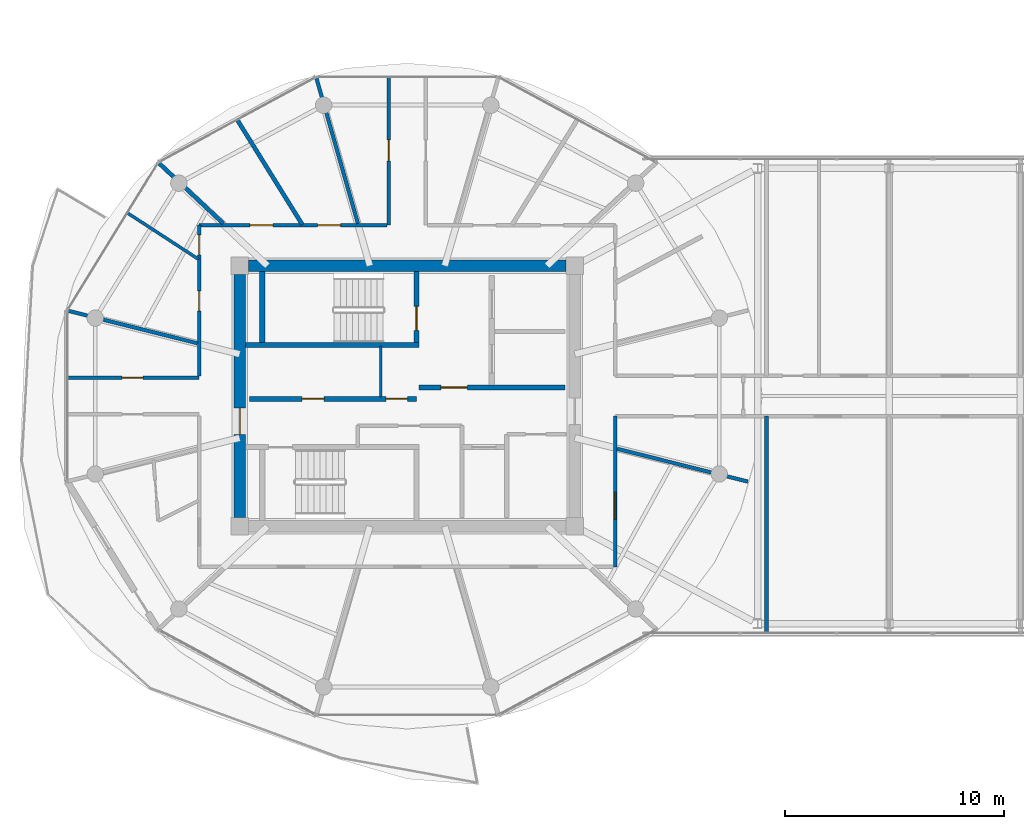
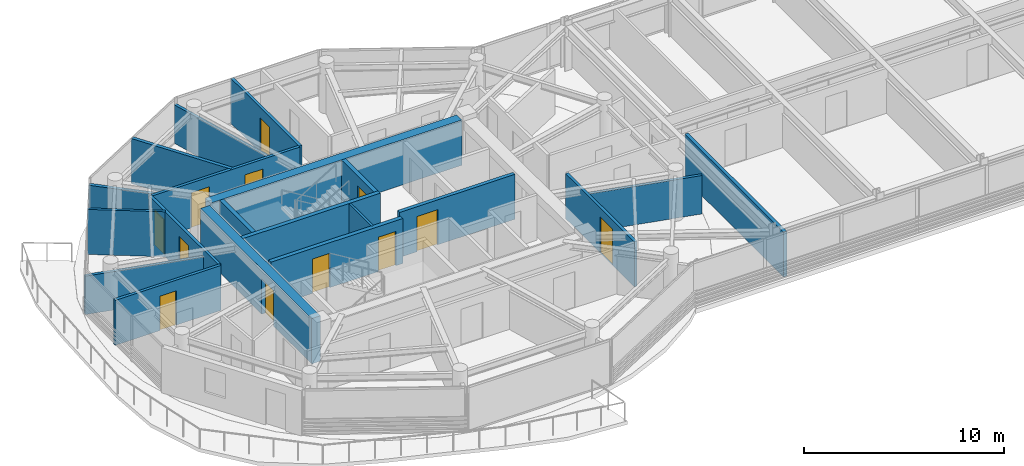
# One storey, part 14 of 23: 20 walls, 12 doors, 12 openings.
"""IFC4 building model written with IfcOpenShell, lengths in metres."""

from ifc_helpers import new_model, si_unit, direction, frame, frame_2d, origin, place, context, subcontext, project, spatial, rectangle, extrude, source, transform, mapped, material, layer, layer_set, type_object, type_shapes, element, fill, save


model = new_model("IFC4")

# Units and contexts
model_context = context("Model", 3, precision=1e-05, world=origin(), true_north=direction((0.0, 1.0)))
body_context = subcontext(model_context, "Body", "Model", "MODEL_VIEW")
ifc_project = project(units=[si_unit("LENGTHUNIT", "METRE"), si_unit("AREAUNIT", "SQUARE_METRE"), si_unit("VOLUMEUNIT", "CUBIC_METRE"), si_unit("PLANEANGLEUNIT", "RADIAN"), si_unit("MASSUNIT", "GRAM", prefix="KILO")], contexts=[model_context])

# Site, building, storey
site_placement = place(None, origin())
site = spatial("IfcSite", under=ifc_project, at=site_placement, CompositionType="ELEMENT")
building_placement = place(site_placement, origin())
building = spatial("IfcBuilding", under=site, at=building_placement, Name="Norrkilde Senior Care Towers", CompositionType="ELEMENT")
storey_placement = place(building_placement, frame((0.0, 0.0, 216.949951171875)))
storey = spatial("IfcBuildingStorey", under=building, at=storey_placement, Name="L67", CompositionType="ELEMENT", Elevation=216.949951171875)

# Wall
ifc_material_1 = material(Name="Concrete C50/60", Category="concrete")
ifc_layer_1 = layer(ifc_material_1, 0.52001953125)
ifc_layer_set_1 = layer_set([ifc_layer_1], Name="Concrete C50/60")
wall_type_1 = type_object("IfcWallType", Name="Core Shear Wall Z4 520", PredefinedType="SHEAR", material=ifc_layer_set_1)
shared_shape_1 = source(origin(), body_context, "Body", "SweptSolid", [
    extrude(rectangle(XDim=14.5, YDim=0.52001953125, at=frame_2d((7.25, 0.0))), origin(), (0.0, 0.0, 1.0), 2.760009765625),
])
wall_1_placement = place(storey_placement, frame((-35.25, 5.949951171875, 0.0), z_axis=(0.0, 0.0, 1.0), x_axis=(1.0, 0.0, 0.0)))
element("IfcWall", 1, at=wall_1_placement, inside=storey, type_object=wall_type_1, Name="L67 Core W North Shear Wall", PredefinedType="SHEAR", context=body_context, shape_type="MappedRepresentation", body=[
    mapped(shared_shape_1, transform((0.0, 0.0, 0.0), x_axis=(1.0, 0.0, 0.0), y_axis=(0.0, 1.0, 0.0), z_axis=(0.0, 0.0, 1.0), scale=1.0)),
])

# Wall, opening, door
shared_shape_2 = source(origin(), body_context, "Body", "SweptSolid", [
    extrude(rectangle(XDim=11.10009765625, YDim=0.52001953125, at=frame_2d((5.550048828125, 0.0))), origin(), (0.0, 0.0, 1.0), 2.760009765625),
])
type_shapes(wall_type_1, [shared_shape_1, shared_shape_2])
wall_2_placement = place(storey_placement, frame((-35.64990234375, -5.550048828125, 0.0), z_axis=(0.0, 0.0, 1.0), x_axis=(0.0, 1.0, 0.0)))
wall_2 = element("IfcWall", 2, at=wall_2_placement, inside=storey, type_object=wall_type_1, Name="L67 Core W West Shear Wall", PredefinedType="SHEAR", context=body_context, shape_type="MappedRepresentation", body=[
    mapped(shared_shape_2, transform((0.0, 0.0, 0.0), x_axis=(1.0, 0.0, 0.0), y_axis=(0.0, 1.0, 0.0), z_axis=(0.0, 0.0, 1.0), scale=1.0)),
])
opening_1_placement = place(wall_2_placement, frame((3.800048828125, 0.0, 0.0)))
opening_1 = element("IfcOpeningElement", 3, at=opening_1_placement, cuts=wall_2, Name="Opening D-04", PredefinedType="OPENING", context=body_context, shape_type="SweptSolid", body=[
    extrude(rectangle(XDim=1.199951171875, YDim=2.14990234375, at=frame_2d((0.60009765625, 1.074951171875))), frame((0.0, 0.27001953125, 0.0), z_axis=(0.0, -1.0, 0.0), x_axis=(1.0, 0.0, 0.0)), (0.0, 0.0, 1.0), 0.5400390625),
])
ifc_material_2 = material(Name="Galvanised Painted Steel", Category="steel")
door_type_1 = type_object("IfcDoorType", Name="Firefighting Lobby Fire Door 1200x2150", OperationType="NOTDEFINED", PredefinedType="DOOR", material=ifc_material_2)
shared_shape_3 = source(origin(), body_context, "Body", "SweptSolid", [
    extrude(rectangle(XDim=1.199951171875, YDim=2.14990234375, at=frame_2d((0.60009765625, 1.074951171875))), frame((0.0, 0.02490234375, 0.0), z_axis=(0.0, -1.0, 0.0), x_axis=(1.0, 0.0, 0.0)), (0.0, 0.0, 1.0), 0.050048828125),
])
type_shapes(door_type_1, [shared_shape_3])
door_1_placement = place(opening_1_placement, frame((1.199951171875, 0.0, 0.0), z_axis=(0.0, 0.0, 1.0), x_axis=(-1.0, 0.0, 0.0)))
door_1 = element("IfcDoor", 4, at=door_1_placement, inside=storey, type_object=door_type_1, Name="L67 Core W West Portal Door", OperationType="SINGLE_SWING_LEFT", OverallHeight=2.14990234375, OverallWidth=1.199951171875, PredefinedType="DOOR", context=body_context, shape_type="MappedRepresentation", body=[
    mapped(shared_shape_3, transform((0.0, 0.0, 0.0), x_axis=(1.0, 0.0, 0.0), y_axis=(0.0, 1.0, 0.0), z_axis=(0.0, 0.0, 1.0), scale=1.0)),
])
fill(opening_1, door_1)

# Walls
ifc_material_3 = material(Name="Concrete C45/55", Category="concrete")
ifc_layer_2 = layer(ifc_material_3, 0.239990234375)
ifc_layer_set_2 = layer_set([ifc_layer_2], Name="Concrete C45/55")
wall_type_2 = type_object("IfcWallType", Name="Shaft and Stair Enclosure Wall 240", PredefinedType="PARTITIONING", material=ifc_layer_set_2)
shared_shape_4 = source(origin(), body_context, "Body", "SweptSolid", [
    extrude(rectangle(XDim=7.929931640625, YDim=0.239990234375, at=frame_2d((3.96484375, 0.0))), origin(), (0.0, 0.0, 1.0), 2.760009765625),
])
wall_3_placement = place(storey_placement, frame((-35.389892578125, 2.330078125, 0.0), z_axis=(0.0, 0.0, 1.0), x_axis=(1.0, 0.0, 0.0)))
element("IfcWall", 5, at=wall_3_placement, inside=storey, type_object=wall_type_2, Name="WL-INT-L67-W-ST1S", PredefinedType="PARTITIONING", context=body_context, shape_type="MappedRepresentation", body=[
    mapped(shared_shape_4, transform((0.0, 0.0, 0.0), x_axis=(1.0, 0.0, 0.0), y_axis=(0.0, 1.0, 0.0), z_axis=(0.0, 0.0, 1.0), scale=1.0)),
])
shared_shape_5 = source(origin(), body_context, "Body", "SweptSolid", [
    extrude(rectangle(XDim=3.239990234375, YDim=0.239990234375, at=frame_2d((1.6201171875, 0.0))), origin(), (0.0, 0.0, 1.0), 2.760009765625),
])
type_shapes(wall_type_2, [shared_shape_4, shared_shape_5])
wall_4_placement = place(storey_placement, frame((-34.6201171875, 2.449951171875, 0.0), z_axis=(0.0, 0.0, 1.0), x_axis=(0.0, 1.0, 0.0)))
element("IfcWall", 6, at=wall_4_placement, inside=storey, type_object=wall_type_2, Name="WL-INT-L67-W-ST1W", PredefinedType="PARTITIONING", context=body_context, shape_type="MappedRepresentation", body=[
    mapped(shared_shape_5, transform((0.0, 0.0, 0.0), x_axis=(1.0, 0.0, 0.0), y_axis=(0.0, 1.0, 0.0), z_axis=(0.0, 0.0, 1.0), scale=1.0)),
])

# Wall, opening, door
wall_5_placement = place(storey_placement, frame((-27.580078125, 2.449951171875, 0.0), z_axis=(0.0, 0.0, 1.0), x_axis=(0.0, 1.0, 0.0)))
wall_5 = element("IfcWall", 7, at=wall_5_placement, inside=storey, type_object=wall_type_2, Name="WL-INT-L67-W-ST1E", PredefinedType="PARTITIONING", context=body_context, shape_type="MappedRepresentation", body=[
    mapped(shared_shape_5, transform((0.0, 0.0, 0.0), x_axis=(1.0, 0.0, 0.0), y_axis=(0.0, 1.0, 0.0), z_axis=(0.0, 0.0, 1.0), scale=1.0)),
])
opening_2_placement = place(wall_5_placement, frame((0.550048828125, 0.0, 0.0)))
opening_2 = element("IfcOpeningElement", 8, at=opening_2_placement, cuts=wall_5, Name="Opening D-03", PredefinedType="OPENING", context=body_context, shape_type="SweptSolid", body=[
    extrude(rectangle(XDim=1.10009765625, YDim=2.14990234375, at=frame_2d((0.550048828125, 1.074951171875))), frame((0.0, 0.1298828125, 0.0), z_axis=(0.0, -1.0, 0.0), x_axis=(1.0, 0.0, 0.0)), (0.0, 0.0, 1.0), 0.260009765625),
])
door_type_2 = type_object("IfcDoorType", Name="Stairwell Protected Fire Door 1100x2150", OperationType="NOTDEFINED", PredefinedType="DOOR", material=ifc_material_2)
shared_shape_6 = source(origin(), body_context, "Body", "SweptSolid", [
    extrude(rectangle(XDim=1.10009765625, YDim=2.14990234375, at=frame_2d((0.550048828125, 1.074951171875))), frame((0.0, 0.02490234375, 0.0), z_axis=(0.0, -1.0, 0.0), x_axis=(1.0, 0.0, 0.0)), (0.0, 0.0, 1.0), 0.050048828125),
])
type_shapes(door_type_2, [shared_shape_6])
door_2_placement = place(opening_2_placement, origin())
door_2 = element("IfcDoor", 9, at=door_2_placement, inside=storey, type_object=door_type_2, Name="L67 Stair W1 Fire Door", OperationType="SINGLE_SWING_LEFT", OverallHeight=2.14990234375, OverallWidth=1.10009765625, PredefinedType="DOOR", context=body_context, shape_type="MappedRepresentation", body=[
    mapped(shared_shape_6, transform((0.0, 0.0, 0.0), x_axis=(1.0, 0.0, 0.0), y_axis=(0.0, 1.0, 0.0), z_axis=(0.0, 0.0, 1.0), scale=1.0)),
])
fill(opening_2, door_2)

ifc_layer_3 = layer(ifc_material_3, 0.2099609375)
ifc_layer_set_3 = layer_set([ifc_layer_3], Name="Concrete C45/55")
wall_type_3 = type_object("IfcWallType", Name="Firefighting Lobby Wall 210", PredefinedType="PARTITIONING", material=ifc_layer_set_3)
shared_shape_7 = source(origin(), body_context, "Body", "SweptSolid", [
    extrude(rectangle(XDim=6.659912109375, YDim=0.2099609375, at=frame_2d((3.330078125, 0.0))), origin(), (0.0, 0.0, 1.0), 2.7451171875),
])
type_shapes(wall_type_3, [shared_shape_7])
wall_6_placement = place(storey_placement, frame((-27.4599609375, 0.389892578125, 0.0), z_axis=(0.0, 0.0, 1.0), x_axis=(1.0, 0.0, 0.0)))
wall_6 = element("IfcWall", 10, at=wall_6_placement, inside=storey, type_object=wall_type_3, Name="WL-INT-L67-W-FFLS", PredefinedType="PARTITIONING", context=body_context, shape_type="MappedRepresentation", body=[
    mapped(shared_shape_7, transform((0.0, 0.0, 0.0), x_axis=(1.0, 0.0, 0.0), y_axis=(0.0, 1.0, 0.0), z_axis=(0.0, 0.0, 1.0), scale=1.0)),
])
opening_3_placement = place(wall_6_placement, frame((1.0, 0.0, 0.0)))
opening_3 = element("IfcOpeningElement", 11, at=opening_3_placement, cuts=wall_6, Name="Opening D-04", PredefinedType="OPENING", context=body_context, shape_type="SweptSolid", body=[
    extrude(rectangle(XDim=1.199951171875, YDim=2.14990234375, at=frame_2d((0.60009765625, 1.074951171875))), frame((0.0, 0.114990234375, 0.0), z_axis=(0.0, -1.0, 0.0), x_axis=(1.0, 0.0, 0.0)), (0.0, 0.0, 1.0), 0.22998046875),
])
door_3_placement = place(opening_3_placement, frame((1.199951171875, 0.0, 0.0), z_axis=(0.0, 0.0, 1.0), x_axis=(-1.0, 0.0, 0.0)))
door_3 = element("IfcDoor", 12, at=door_3_placement, inside=storey, type_object=door_type_1, Name="L67 Firefighting Lobby W Door", OperationType="SINGLE_SWING_LEFT", OverallHeight=2.14990234375, OverallWidth=1.199951171875, PredefinedType="DOOR", context=body_context, shape_type="MappedRepresentation", body=[
    mapped(shared_shape_3, transform((0.0, 0.0, 0.0), x_axis=(1.0, 0.0, 0.0), y_axis=(0.0, 1.0, 0.0), z_axis=(0.0, 0.0, 1.0), scale=1.0)),
])
fill(opening_3, door_3)

# Wall, openings, doors
ifc_layer_4 = layer(ifc_material_3, 0.239990234375)
ifc_layer_set_4 = layer_set([ifc_layer_4], Name="Concrete C45/55")
wall_type_4 = type_object("IfcWallType", Name="Lift and Plant Rated Enclosure Partition 240", PredefinedType="PARTITIONING", material=ifc_layer_set_4)
shared_shape_8 = source(origin(), body_context, "Body", "SweptSolid", [
    extrude(rectangle(XDim=7.619873046875, YDim=0.239990234375, at=frame_2d((3.81005859375, 0.0))), origin(), (0.0, 0.0, 1.0), 2.7451171875),
])
type_shapes(wall_type_4, [shared_shape_8])
wall_7_placement = place(storey_placement, frame((-35.199951171875, -0.1298828125, 0.0), z_axis=(0.0, 0.0, 1.0), x_axis=(1.0, 0.0, 0.0)))
wall_7 = element("IfcWall", 13, at=wall_7_placement, inside=storey, type_object=wall_type_4, Name="WL-INT-L67-W-PKAS", PredefinedType="PARTITIONING", context=body_context, shape_type="MappedRepresentation", body=[
    mapped(shared_shape_8, transform((0.0, 0.0, 0.0), x_axis=(1.0, 0.0, 0.0), y_axis=(0.0, 1.0, 0.0), z_axis=(0.0, 0.0, 1.0), scale=1.0)),
])
opening_4_placement = place(wall_7_placement, frame((6.219970703125, 0.0, 0.0)))
opening_4 = element("IfcOpeningElement", 14, at=opening_4_placement, cuts=wall_7, Name="Opening D-10", PredefinedType="OPENING", context=body_context, shape_type="SweptSolid", body=[
    extrude(rectangle(XDim=1.0, YDim=2.10009765625, at=frame_2d((0.5, 1.050048828125))), frame((0.0, 0.1298828125, 0.0), z_axis=(0.0, -1.0, 0.0), x_axis=(1.0, 0.0, 0.0)), (0.0, 0.0, 1.0), 0.260009765625),
])
opening_5_placement = place(wall_7_placement, frame((2.39990234375, 0.0, 0.0)))
opening_5 = element("IfcOpeningElement", 15, at=opening_5_placement, cuts=wall_7, Name="Opening D-10", PredefinedType="OPENING", context=body_context, shape_type="SweptSolid", body=[
    extrude(rectangle(XDim=1.0, YDim=2.10009765625, at=frame_2d((0.5, 1.050048828125))), frame((0.0, 0.1298828125, 0.0), z_axis=(0.0, -1.0, 0.0), x_axis=(1.0, 0.0, 0.0)), (0.0, 0.0, 1.0), 0.260009765625),
])
door_type_3 = type_object("IfcDoorType", Name="Plant and Riser Rated Door 1000x2100", OperationType="NOTDEFINED", PredefinedType="DOOR", material=ifc_material_2)
shared_shape_9 = source(origin(), body_context, "Body", "SweptSolid", [
    extrude(rectangle(XDim=1.0, YDim=2.10009765625, at=frame_2d((0.5, 1.050048828125))), frame((0.0, 0.02490234375, 0.0), z_axis=(0.0, -1.0, 0.0), x_axis=(1.0, 0.0, 0.0)), (0.0, 0.0, 1.0), 0.050048828125),
])
type_shapes(door_type_3, [shared_shape_9])
door_4_placement = place(opening_4_placement, frame((1.0, 0.0, 0.0), z_axis=(0.0, 0.0, 1.0), x_axis=(-1.0, 0.0, 0.0)))
door_4 = element("IfcDoor", 16, at=door_4_placement, inside=storey, type_object=door_type_3, Name="L67 Electrical Riser W Door", OperationType="SINGLE_SWING_LEFT", OverallHeight=2.10009765625, OverallWidth=1.0, PredefinedType="DOOR", context=body_context, shape_type="MappedRepresentation", body=[
    mapped(shared_shape_9, transform((0.0, 0.0, 0.0), x_axis=(1.0, 0.0, 0.0), y_axis=(0.0, 1.0, 0.0), z_axis=(0.0, 0.0, 1.0), scale=1.0)),
])
fill(opening_4, door_4)
door_5_placement = place(opening_5_placement, frame((1.0, 0.0, 0.0), z_axis=(0.0, 0.0, 1.0), x_axis=(-1.0, 0.0, 0.0)))
door_5 = element("IfcDoor", 17, at=door_5_placement, inside=storey, type_object=door_type_3, Name="L67 Clean Supply Store W Door", OperationType="SINGLE_SWING_LEFT", OverallHeight=2.10009765625, OverallWidth=1.0, PredefinedType="DOOR", context=body_context, shape_type="MappedRepresentation", body=[
    mapped(shared_shape_9, transform((0.0, 0.0, 0.0), x_axis=(1.0, 0.0, 0.0), y_axis=(0.0, 1.0, 0.0), z_axis=(0.0, 0.0, 1.0), scale=1.0)),
])
fill(opening_5, door_5)

# Wall
ifc_material_4 = material(Name="Gypsum Acoustic Board")
ifc_layer_5 = layer(ifc_material_4, 0.114990234375)
ifc_layer_set_5 = layer_set([ifc_layer_5], Name="Gypsum Acoustic Board")
wall_type_5 = type_object("IfcWallType", Name="Internal Room Partition 115", PredefinedType="PARTITIONING", material=ifc_layer_set_5)
shared_shape_10 = source(origin(), body_context, "Body", "SweptSolid", [
    extrude(rectangle(XDim=2.330078125, YDim=0.114990234375, at=frame_2d((1.1650390625, 0.0))), origin(), (0.0, 0.0, 1.0), 2.7451171875),
])
type_shapes(wall_type_5, [shared_shape_10])
wall_8_placement = place(storey_placement, frame((-29.2099609375, -0.050048828125, 0.0), z_axis=(0.0, 0.0, 1.0), x_axis=(0.0, 1.0, 0.0)))
element("IfcWall", 18, at=wall_8_placement, inside=storey, type_object=wall_type_5, Name="WL-INT-L67-W-RISW", PredefinedType="PARTITIONING", context=body_context, shape_type="MappedRepresentation", body=[
    mapped(shared_shape_10, transform((0.0, 0.0, 0.0), x_axis=(1.0, 0.0, 0.0), y_axis=(0.0, 1.0, 0.0), z_axis=(0.0, 0.0, 1.0), scale=1.0)),
])

# Wall, openings, doors
ifc_layer_6 = layer(ifc_material_4, 0.1650390625)
ifc_layer_set_6 = layer_set([ifc_layer_6], Name="Gypsum Acoustic Board")
wall_type_6 = type_object("IfcWallType", Name="Corridor Rated Partition 165", PredefinedType="PARTITIONING", material=ifc_layer_set_6)
shared_shape_11 = source(origin(), body_context, "Body", "SweptSolid", [
    extrude(rectangle(XDim=8.580078125, YDim=0.1650390625, at=frame_2d((4.2900390625, 0.0))), origin(), (0.0, 0.0, 1.0), 2.7451171875),
])
wall_9_placement = place(storey_placement, frame((-37.5, 7.800048828125, 0.0), z_axis=(0.0, 0.0, 1.0), x_axis=(1.0, 0.0, 0.0)))
wall_9 = element("IfcWall", 19, at=wall_9_placement, inside=storey, type_object=wall_type_6, Name="WL-INT-L67-W-CRW-N-0", PredefinedType="PARTITIONING", context=body_context, shape_type="MappedRepresentation", body=[
    mapped(shared_shape_11, transform((0.0, 0.0, 0.0), x_axis=(1.0, 0.0, 0.0), y_axis=(0.0, 1.0, 0.0), z_axis=(0.0, 0.0, 1.0), scale=1.0)),
])
opening_6_placement = place(wall_9_placement, frame((5.40771484375, 0.0, 0.0)))
opening_6 = element("IfcOpeningElement", 20, at=opening_6_placement, cuts=wall_9, Name="Opening D-06", PredefinedType="OPENING", context=body_context, shape_type="SweptSolid", body=[
    extrude(rectangle(XDim=1.050048828125, YDim=2.14990234375, at=frame_2d((0.52490234375, 1.074951171875))), frame((0.0, 0.092529296875, 0.0), z_axis=(0.0, -1.0, 0.0), x_axis=(1.0, 0.0, 0.0)), (0.0, 0.0, 1.0), 0.18505859375),
])
opening_7_placement = place(wall_9_placement, frame((2.316650390625, 0.0, 0.0)))
opening_7 = element("IfcOpeningElement", 21, at=opening_7_placement, cuts=wall_9, Name="Opening D-06", PredefinedType="OPENING", context=body_context, shape_type="SweptSolid", body=[
    extrude(rectangle(XDim=1.050048828125, YDim=2.14990234375, at=frame_2d((0.52490234375, 1.074951171875))), frame((0.0, 0.092529296875, 0.0), z_axis=(0.0, -1.0, 0.0), x_axis=(1.0, 0.0, 0.0)), (0.0, 0.0, 1.0), 0.18505859375),
])
ifc_material_5 = material(Name="Nordic Ash Timber", Category="wood")
door_type_4 = type_object("IfcDoorType", Name="Apartment Entrance Fire Door 1050x2150", OperationType="NOTDEFINED", PredefinedType="DOOR", material=ifc_material_5)
shared_shape_12 = source(origin(), body_context, "Body", "SweptSolid", [
    extrude(rectangle(XDim=1.050048828125, YDim=2.14990234375, at=frame_2d((0.52490234375, 1.074951171875))), frame((0.0, 0.02490234375, 0.0), z_axis=(0.0, -1.0, 0.0), x_axis=(1.0, 0.0, 0.0)), (0.0, 0.0, 1.0), 0.050048828125),
])
type_shapes(door_type_4, [shared_shape_12])
door_6_placement = place(opening_6_placement, frame((1.050048828125, 0.0, 0.0), z_axis=(0.0, 0.0, 1.0), x_axis=(-1.0, 0.0, 0.0)))
door_6 = element("IfcDoor", 22, at=door_6_placement, inside=storey, type_object=door_type_4, Name="L67 Physiotherapy Clinic 3A Door", OperationType="SINGLE_SWING_RIGHT", OverallHeight=2.14990234375, OverallWidth=1.050048828125, PredefinedType="DOOR", context=body_context, shape_type="MappedRepresentation", body=[
    mapped(shared_shape_12, transform((0.0, 0.0, 0.0), x_axis=(1.0, 0.0, 0.0), y_axis=(0.0, 1.0, 0.0), z_axis=(0.0, 0.0, 1.0), scale=1.0)),
])
fill(opening_6, door_6)
door_7_placement = place(opening_7_placement, frame((1.050048828125, 0.0, 0.0), z_axis=(0.0, 0.0, 1.0), x_axis=(-1.0, 0.0, 0.0)))
door_7 = element("IfcDoor", 23, at=door_7_placement, inside=storey, type_object=door_type_4, Name="L67 Assessment Clinic 3B Door", OperationType="SINGLE_SWING_LEFT", OverallHeight=2.14990234375, OverallWidth=1.050048828125, PredefinedType="DOOR", context=body_context, shape_type="MappedRepresentation", body=[
    mapped(shared_shape_12, transform((0.0, 0.0, 0.0), x_axis=(1.0, 0.0, 0.0), y_axis=(0.0, 1.0, 0.0), z_axis=(0.0, 0.0, 1.0), scale=1.0)),
])
fill(opening_7, door_7)

shared_shape_13 = source(origin(), body_context, "Body", "SweptSolid", [
    extrude(rectangle(XDim=6.880126953125, YDim=0.1650390625, at=frame_2d((3.43994140625, 0.0))), origin(), (0.0, 0.0, 1.0), 2.7451171875),
])
wall_10_placement = place(storey_placement, frame((-37.5, 0.919921875, 0.0), z_axis=(0.0, 0.0, 1.0), x_axis=(0.0, 1.0, 0.0)))
wall_10 = element("IfcWall", 24, at=wall_10_placement, inside=storey, type_object=wall_type_6, Name="WL-INT-L67-W-CRW-W-1", PredefinedType="PARTITIONING", context=body_context, shape_type="MappedRepresentation", body=[
    mapped(shared_shape_13, transform((0.0, 0.0, 0.0), x_axis=(1.0, 0.0, 0.0), y_axis=(0.0, 1.0, 0.0), z_axis=(0.0, 0.0, 1.0), scale=1.0)),
])
opening_8_placement = place(wall_10_placement, frame((5.525146484375, 0.0, 0.0)))
opening_8 = element("IfcOpeningElement", 25, at=opening_8_placement, cuts=wall_10, Name="Opening D-08", PredefinedType="OPENING", context=body_context, shape_type="SweptSolid", body=[
    extrude(rectangle(XDim=0.919921875, YDim=2.10009765625, at=frame_2d((0.4599609375, 1.050048828125))), frame((0.0, 0.092529296875, 0.0), z_axis=(0.0, -1.0, 0.0), x_axis=(1.0, 0.0, 0.0)), (0.0, 0.0, 1.0), 0.18505859375),
])
opening_9_placement = place(wall_10_placement, frame((2.96240234375, 0.0, 0.0)))
opening_9 = element("IfcOpeningElement", 26, at=opening_9_placement, cuts=wall_10, Name="Opening D-08", PredefinedType="OPENING", context=body_context, shape_type="SweptSolid", body=[
    extrude(rectangle(XDim=0.919921875, YDim=2.10009765625, at=frame_2d((0.4599609375, 1.050048828125))), frame((0.0, 0.092529296875, 0.0), z_axis=(0.0, -1.0, 0.0), x_axis=(1.0, 0.0, 0.0)), (0.0, 0.0, 1.0), 0.18505859375),
])
door_type_5 = type_object("IfcDoorType", Name="Accessible Wet Room Door 920x2100", OperationType="NOTDEFINED", PredefinedType="DOOR", material=ifc_material_5)
shared_shape_14 = source(origin(), body_context, "Body", "SweptSolid", [
    extrude(rectangle(XDim=0.919921875, YDim=2.10009765625, at=frame_2d((0.4599609375, 1.050048828125))), frame((0.0, 0.02490234375, 0.0), z_axis=(0.0, -1.0, 0.0), x_axis=(1.0, 0.0, 0.0)), (0.0, 0.0, 1.0), 0.050048828125),
])
type_shapes(door_type_5, [shared_shape_14])
door_8_placement = place(opening_8_placement, frame((0.919921875, 0.0, 0.0), z_axis=(0.0, 0.0, 1.0), x_axis=(-1.0, 0.0, 0.0)))
door_8 = element("IfcDoor", 27, at=door_8_placement, inside=storey, type_object=door_type_5, Name="L67 Accessible Restroom Door", OperationType="SINGLE_SWING_LEFT", OverallHeight=2.10009765625, OverallWidth=0.919921875, PredefinedType="DOOR", context=body_context, shape_type="MappedRepresentation", body=[
    mapped(shared_shape_14, transform((0.0, 0.0, 0.0), x_axis=(1.0, 0.0, 0.0), y_axis=(0.0, 1.0, 0.0), z_axis=(0.0, 0.0, 1.0), scale=1.0)),
])
fill(opening_8, door_8)
door_9_placement = place(opening_9_placement, frame((0.919921875, 0.0, 0.0), z_axis=(0.0, 0.0, 1.0), x_axis=(-1.0, 0.0, 0.0)))
door_9 = element("IfcDoor", 28, at=door_9_placement, inside=storey, type_object=door_type_5, Name="L67 Public Restroom Door", OperationType="SINGLE_SWING_RIGHT", OverallHeight=2.10009765625, OverallWidth=0.919921875, PredefinedType="DOOR", context=body_context, shape_type="MappedRepresentation", body=[
    mapped(shared_shape_14, transform((0.0, 0.0, 0.0), x_axis=(1.0, 0.0, 0.0), y_axis=(0.0, 1.0, 0.0), z_axis=(0.0, 0.0, 1.0), scale=1.0)),
])
fill(opening_9, door_9)

# Wall, opening, door
wall_11_placement = place(storey_placement, frame((-18.5, -0.919921875, 0.0), z_axis=(0.0, 0.0, 1.0), x_axis=(0.0, -1.0, 0.0)))
wall_11 = element("IfcWall", 29, at=wall_11_placement, inside=storey, type_object=wall_type_6, Name="WL-INT-L67-W-CRW-E-1", PredefinedType="PARTITIONING", context=body_context, shape_type="MappedRepresentation", body=[
    mapped(shared_shape_13, transform((0.0, 0.0, 0.0), x_axis=(1.0, 0.0, 0.0), y_axis=(0.0, 1.0, 0.0), z_axis=(0.0, 0.0, 1.0), scale=1.0)),
])
opening_10_placement = place(wall_11_placement, frame((3.46435546875, 0.0, 0.0)))
opening_10 = element("IfcOpeningElement", 30, at=opening_10_placement, cuts=wall_11, Name="Opening D-05", PredefinedType="OPENING", context=body_context, shape_type="SweptSolid", body=[
    extrude(rectangle(XDim=1.25, YDim=2.199951171875, at=frame_2d((0.625, 1.10009765625))), frame((0.0, 0.092529296875, 0.0), z_axis=(0.0, -1.0, 0.0), x_axis=(1.0, 0.0, 0.0)), (0.0, 0.0, 1.0), 0.18505859375),
])
door_type_6 = type_object("IfcDoorType", Name="Care Bedroom Bariatric Door 1250x2200", OperationType="NOTDEFINED", PredefinedType="DOOR", material=ifc_material_5)
shared_shape_15 = source(origin(), body_context, "Body", "SweptSolid", [
    extrude(rectangle(XDim=1.25, YDim=2.199951171875, at=frame_2d((0.625, 1.10009765625))), frame((0.0, 0.02490234375, 0.0), z_axis=(0.0, -1.0, 0.0), x_axis=(1.0, 0.0, 0.0)), (0.0, 0.0, 1.0), 0.050048828125),
])
type_shapes(door_type_6, [shared_shape_15])
door_10_placement = place(opening_10_placement, frame((1.25, 0.0, 0.0), z_axis=(0.0, 0.0, 1.0), x_axis=(-1.0, 0.0, 0.0)))
door_10 = element("IfcDoor", 31, at=door_10_placement, inside=storey, type_object=door_type_6, Name="L67 Household Therapeutic Kitchen Door", OperationType="SINGLE_SWING_LEFT", OverallHeight=2.199951171875, OverallWidth=1.25, PredefinedType="DOOR", context=body_context, shape_type="MappedRepresentation", body=[
    mapped(shared_shape_15, transform((0.0, 0.0, 0.0), x_axis=(1.0, 0.0, 0.0), y_axis=(0.0, 1.0, 0.0), z_axis=(0.0, 0.0, 1.0), scale=1.0)),
])
fill(opening_10, door_10)

# Walls
shared_shape_16 = source(origin(), body_context, "Body", "SweptSolid", [
    extrude(rectangle(XDim=6.973876953125, YDim=0.1650390625, at=frame_2d((3.48681640625, 0.0))), origin(), (0.0, 0.0, 1.0), 2.344970703125),
])
wall_12_placement = place(storey_placement, frame((-30.251220703125, 7.8798828125, 0.0), z_axis=(0.0, 0.0, 1.0), x_axis=(-0.274707256801, 0.961527910703, 0.0)))
element("IfcWall", 32, at=wall_12_placement, inside=storey, type_object=wall_type_6, Name="WL-INT-L67-W-DEM-03-0", PredefinedType="PARTITIONING", context=body_context, shape_type="MappedRepresentation", body=[
    mapped(shared_shape_16, transform((0.0, 0.0, 0.0), x_axis=(1.0, 0.0, 0.0), y_axis=(0.0, 1.0, 0.0), z_axis=(0.0, 0.0, 1.0), scale=1.0)),
])
shared_shape_17 = source(origin(), body_context, "Body", "SweptSolid", [
    extrude(rectangle(XDim=6.1572265625, YDim=0.1650390625, at=frame_2d((3.07861328125, 0.0))), origin(), (0.0, 0.0, 1.0), 2.344970703125),
])
for number, where, z_axis, x_axis, name in (
    (33, (-37.580078125, 2.407470703125, 0.0), (0.0, 0.0, 1.0), (-0.969840867184, 0.243738984038, 0.0), "WL-INT-L67-W-DEM-05-0"),
    (34, (-18.419921875, -2.407470703125, 0.0), (0.0, 0.0, 1.0), (0.969840867184, -0.243738984038, 0.0), "WL-INT-L67-W-DEM-11-0"),
):
    element("IfcWall", number, at=place(storey_placement, frame(where, z_axis=z_axis, x_axis=x_axis)), inside=storey, type_object=wall_type_6, Name=name, PredefinedType="PARTITIONING", context=body_context, shape_type="MappedRepresentation", body=[
        mapped(shared_shape_17, transform((0.0, 0.0, 0.0), x_axis=(1.0, 0.0, 0.0), y_axis=(0.0, 1.0, 0.0), z_axis=(0.0, 0.0, 1.0), scale=1.0)),
    ])

# Wall, opening, door
shared_shape_18 = source(origin(), body_context, "Body", "SweptSolid", [
    extrude(rectangle(XDim=6.83544921875, YDim=0.1650390625, at=frame_2d((3.417724609375, 0.0))), origin(), (0.0, 0.0, 1.0), 2.7451171875),
])
wall_13_placement = place(storey_placement, frame((-28.840087890625, 7.800048828125, 0.0), z_axis=(0.0, 0.0, 1.0), x_axis=(0.0, 1.0, 0.0)))
wall_13 = element("IfcWall", 35, at=wall_13_placement, inside=storey, type_object=wall_type_6, Name="WL-INT-L67-W-SPK-N1-0", PredefinedType="PARTITIONING", context=body_context, shape_type="MappedRepresentation", body=[
    mapped(shared_shape_18, transform((0.0, 0.0, 0.0), x_axis=(1.0, 0.0, 0.0), y_axis=(0.0, 1.0, 0.0), z_axis=(0.0, 0.0, 1.0), scale=1.0)),
])
opening_11_placement = place(wall_13_placement, frame((2.942626953125, 0.0, 0.0)))
opening_11 = element("IfcOpeningElement", 36, at=opening_11_placement, cuts=wall_13, Name="Opening D-07", PredefinedType="OPENING", context=body_context, shape_type="SweptSolid", body=[
    extrude(rectangle(XDim=0.949951171875, YDim=2.10009765625, at=frame_2d((0.47509765625, 1.050048828125))), frame((0.0, 0.092529296875, 0.0), z_axis=(0.0, -1.0, 0.0), x_axis=(1.0, 0.0, 0.0)), (0.0, 0.0, 1.0), 0.18505859375),
])
door_type_7 = type_object("IfcDoorType", Name="Internal Suite Bedroom Door 950x2100", OperationType="NOTDEFINED", PredefinedType="DOOR", material=ifc_material_5)
shared_shape_19 = source(origin(), body_context, "Body", "SweptSolid", [
    extrude(rectangle(XDim=0.949951171875, YDim=2.10009765625, at=frame_2d((0.47509765625, 1.050048828125))), frame((0.0, 0.02490234375, 0.0), z_axis=(0.0, -1.0, 0.0), x_axis=(1.0, 0.0, 0.0)), (0.0, 0.0, 1.0), 0.050048828125),
])
type_shapes(door_type_7, [shared_shape_19])
door_11_placement = place(opening_11_placement, frame((0.949951171875, 0.0, 0.0), z_axis=(0.0, 0.0, 1.0), x_axis=(-1.0, 0.0, 0.0)))
door_11 = element("IfcDoor", 37, at=door_11_placement, inside=storey, type_object=door_type_7, Name="L67 Sun Reading Lounge 3 Door", OperationType="SINGLE_SWING_RIGHT", OverallHeight=2.10009765625, OverallWidth=0.949951171875, PredefinedType="DOOR", context=body_context, shape_type="MappedRepresentation", body=[
    mapped(shared_shape_19, transform((0.0, 0.0, 0.0), x_axis=(1.0, 0.0, 0.0), y_axis=(0.0, 1.0, 0.0), z_axis=(0.0, 0.0, 1.0), scale=1.0)),
])
fill(opening_11, door_11)

shared_shape_20 = source(origin(), body_context, "Body", "SweptSolid", [
    extrude(rectangle(XDim=6.101318359375, YDim=0.1650390625, at=frame_2d((3.05078125, 0.0))), origin(), (0.0, 0.0, 1.0), 2.7451171875),
])
type_shapes(wall_type_6, [shared_shape_11, shared_shape_13, shared_shape_16, shared_shape_17, shared_shape_18, shared_shape_20])
wall_14_placement = place(storey_placement, frame((-43.601318359375, 0.840087890625, 0.0), z_axis=(0.0, 0.0, 1.0), x_axis=(1.0, 0.0, 0.0)))
wall_14 = element("IfcWall", 38, at=wall_14_placement, inside=storey, type_object=wall_type_6, Name="WL-INT-L67-W-SPK-W1-0", PredefinedType="PARTITIONING", context=body_context, shape_type="MappedRepresentation", body=[
    mapped(shared_shape_20, transform((0.0, 0.0, 0.0), x_axis=(1.0, 0.0, 0.0), y_axis=(0.0, 1.0, 0.0), z_axis=(0.0, 0.0, 1.0), scale=1.0)),
])
opening_12_placement = place(wall_14_placement, frame((2.57568359375, 0.0, 0.0)))
opening_12 = element("IfcOpeningElement", 39, at=opening_12_placement, cuts=wall_14, Name="Opening D-07", PredefinedType="OPENING", context=body_context, shape_type="SweptSolid", body=[
    extrude(rectangle(XDim=0.949951171875, YDim=2.10009765625, at=frame_2d((0.47509765625, 1.050048828125))), frame((0.0, 0.092529296875, 0.0), z_axis=(0.0, -1.0, 0.0), x_axis=(1.0, 0.0, 0.0)), (0.0, 0.0, 1.0), 0.18505859375),
])
door_12_placement = place(opening_12_placement, frame((0.949951171875, 0.0, 0.0), z_axis=(0.0, 0.0, 1.0), x_axis=(-1.0, 0.0, 0.0)))
door_12 = element("IfcDoor", 40, at=door_12_placement, inside=storey, type_object=door_type_7, Name="L67 Sun Reading Lounge 2 Door", OperationType="SINGLE_SWING_LEFT", OverallHeight=2.10009765625, OverallWidth=0.949951171875, PredefinedType="DOOR", context=body_context, shape_type="MappedRepresentation", body=[
    mapped(shared_shape_19, transform((0.0, 0.0, 0.0), x_axis=(1.0, 0.0, 0.0), y_axis=(0.0, 1.0, 0.0), z_axis=(0.0, 0.0, 1.0), scale=1.0)),
])
fill(opening_12, door_12)

# Walls
ifc_layer_7 = layer(ifc_material_4, 0.18994140625)
ifc_layer_set_7 = layer_set([ifc_layer_7], Name="Gypsum Acoustic Board")
wall_type_7 = type_object("IfcWallType", Name="Unit Demising Acoustic Wall 190", PredefinedType="PARTITIONING", material=ifc_layer_set_7)
shared_shape_21 = source(origin(), body_context, "Body", "SweptSolid", [
    extrude(rectangle(XDim=4.089111328125, YDim=0.18994140625, at=frame_2d((2.04443359375, 0.0))), origin(), (0.0, 0.0, 1.0), 2.344970703125),
])
wall_15_placement = place(storey_placement, frame((-36.40185546875, 7.8798828125, 0.0), z_axis=(0.0, 0.0, 1.0), x_axis=(-0.729401273609, 0.684086092577, 0.0)))
element("IfcWall", 41, at=wall_15_placement, inside=storey, type_object=wall_type_7, Name="WL-INT-L67-W-DEM-04-0", PredefinedType="PARTITIONING", context=body_context, shape_type="MappedRepresentation", body=[
    mapped(shared_shape_21, transform((0.0, 0.0, 0.0), x_axis=(1.0, 0.0, 0.0), y_axis=(0.0, 1.0, 0.0), z_axis=(0.0, 0.0, 1.0), scale=1.0)),
])
shared_shape_22 = source(origin(), body_context, "Body", "SweptSolid", [
    extrude(rectangle(XDim=5.65185546875, YDim=0.18994140625, at=frame_2d((2.825927734375, 0.0))), origin(), (0.0, 0.0, 1.0), 2.7451171875),
])
wall_16_placement = place(storey_placement, frame((-32.7939453125, 7.830078125, 0.0), z_axis=(0.0, 0.0, 1.0), x_axis=(-0.527566076956, 0.84951399897, 0.0)))
element("IfcWall", 42, at=wall_16_placement, inside=storey, type_object=wall_type_7, Name="WL-INT-L67-W-MID-03", PredefinedType="PARTITIONING", context=body_context, shape_type="MappedRepresentation", body=[
    mapped(shared_shape_22, transform((0.0, 0.0, 0.0), x_axis=(1.0, 0.0, 0.0), y_axis=(0.0, 1.0, 0.0), z_axis=(0.0, 0.0, 1.0), scale=1.0)),
])
ifc_layer_8 = layer(ifc_material_4, 0.139892578125)
ifc_layer_set_8 = layer_set([ifc_layer_8], Name="Gypsum Acoustic Board")
wall_type_8 = type_object("IfcWallType", Name="En-suite Wet Room Wall 140", PredefinedType="PARTITIONING", material=ifc_layer_set_8)
shared_shape_23 = source(origin(), body_context, "Body", "SweptSolid", [
    extrude(rectangle(XDim=3.903564453125, YDim=0.139892578125, at=frame_2d((1.95166015625, 0.0))), origin(), (0.0, 0.0, 1.0), 2.7451171875),
])
type_shapes(wall_type_8, [shared_shape_23])
wall_17_placement = place(storey_placement, frame((-37.530029296875, 6.245849609375, 0.0), z_axis=(0.0, 0.0, 1.0), x_axis=(-0.838024687996, 0.545632314209, 0.0)))
element("IfcWall", 43, at=wall_17_placement, inside=storey, type_object=wall_type_8, Name="WL-INT-L67-W-MID-04", PredefinedType="PARTITIONING", context=body_context, shape_type="MappedRepresentation", body=[
    mapped(shared_shape_23, transform((0.0, 0.0, 0.0), x_axis=(1.0, 0.0, 0.0), y_axis=(0.0, 1.0, 0.0), z_axis=(0.0, 0.0, 1.0), scale=1.0)),
])
shared_shape_24 = source(origin(), body_context, "Body", "SweptSolid", [
    extrude(rectangle(XDim=9.880126953125, YDim=0.18994140625, at=frame_2d((4.93994140625, 0.0))), origin(), (0.0, 0.0, 1.0), 2.7451171875),
])
type_shapes(wall_type_7, [shared_shape_21, shared_shape_22, shared_shape_24])
wall_18_placement = place(storey_placement, frame((-11.60009765625, -10.800048828125, 0.0), z_axis=(0.0, 0.0, 1.0), x_axis=(0.0, 1.0, 0.0)))
element("IfcWall", 44, at=wall_18_placement, inside=storey, type_object=wall_type_7, Name="WL-INT-L67-BR-ES-12", PredefinedType="PARTITIONING", context=body_context, shape_type="MappedRepresentation", body=[
    mapped(shared_shape_24, transform((0.0, 0.0, 0.0), x_axis=(1.0, 0.0, 0.0), y_axis=(0.0, 1.0, 0.0), z_axis=(0.0, 0.0, 1.0), scale=1.0)),
])

save(model, "model.ifc")
